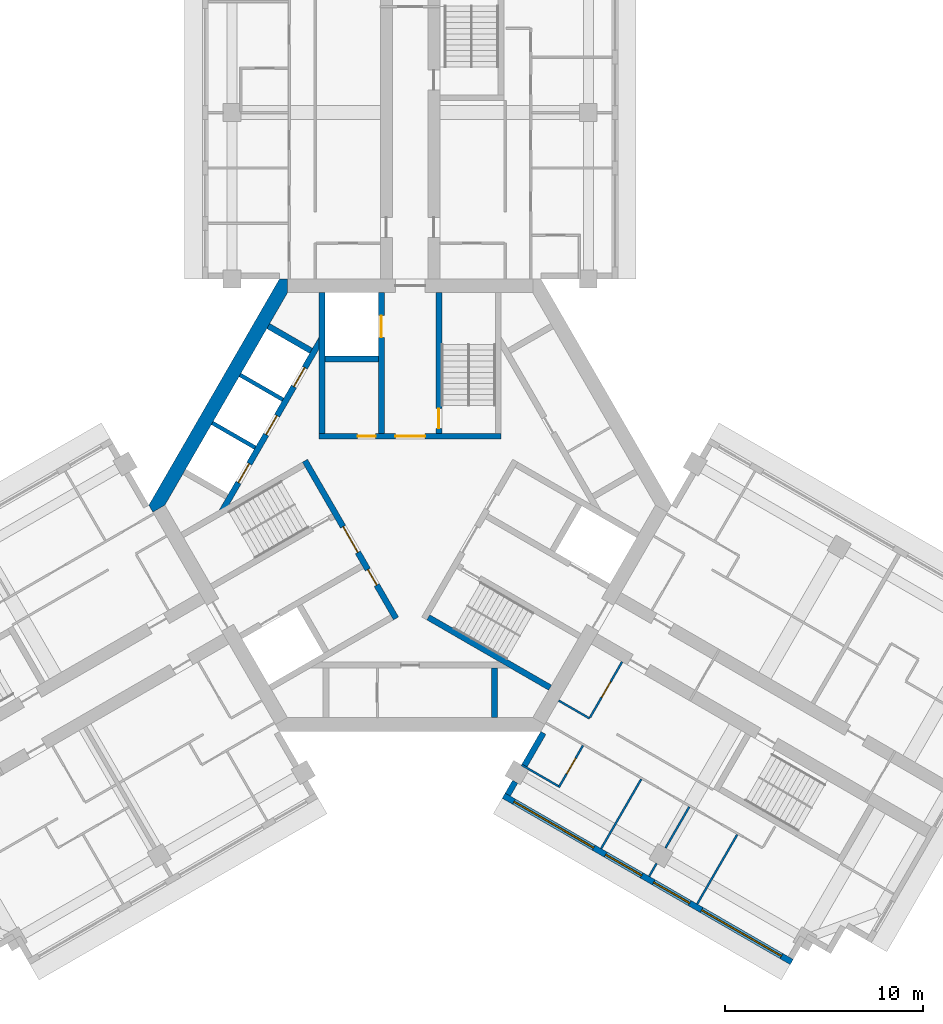
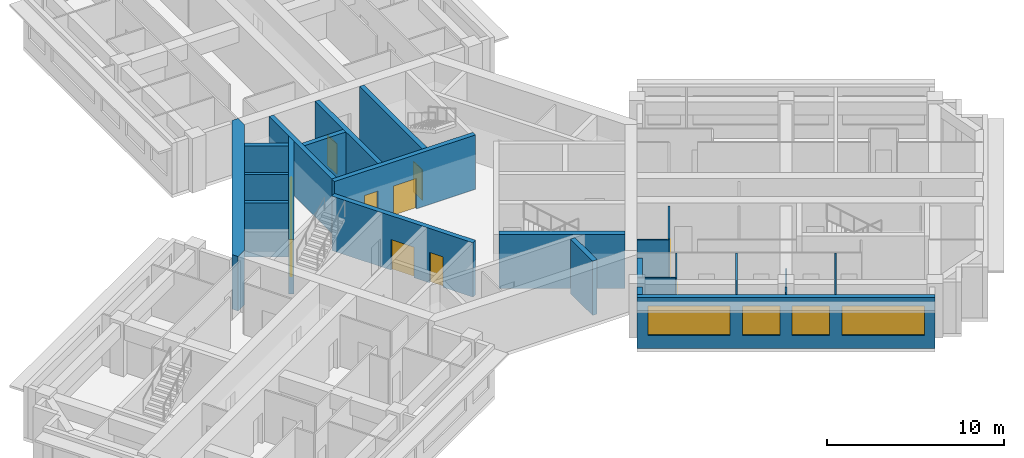
# One storey, part 4 of 10: 24 walls, 11 doors, 4 windows, 15 openings.
"""IFC4 building model written with IfcOpenShell, lengths in metres."""

from ifc_helpers import new_model, si_unit, direction, frame, frame_2d, origin, place, context, subcontext, project, spatial, polyline, rectangle, outline, extrude, material, layer, layer_set, type_object, element, fill, save


model = new_model("IFC4")

# Units and contexts
model_context = context("Model", 3, precision=1e-05, world=origin(), true_north=direction((0.0, 1.0)))
body_context = subcontext(model_context, "Body", "Model", "MODEL_VIEW")
ifc_project = project(units=[si_unit("LENGTHUNIT", "METRE"), si_unit("AREAUNIT", "SQUARE_METRE"), si_unit("VOLUMEUNIT", "CUBIC_METRE"), si_unit("PLANEANGLEUNIT", "RADIAN"), si_unit("MASSUNIT", "GRAM", prefix="KILO")], contexts=[model_context])

# Site, building, storey
site_placement = place(None, origin())
site = spatial("IfcSite", under=ifc_project, at=site_placement, CompositionType="ELEMENT")
building_placement = place(site_placement, origin())
building = spatial("IfcBuilding", under=site, at=building_placement, Name="Impinga Residences", CompositionType="ELEMENT")
storey_placement = place(building_placement, frame((0.0, 0.0, 256.0)))
storey = spatial("IfcBuildingStorey", under=building, at=storey_placement, Name="L64", CompositionType="ELEMENT", Elevation=256.0)

# Wall, openings, windows
ifc_material_1 = material(Name="Terracotta rainscreen on blockwork", Category="masonry")
ifc_layer_1 = layer(ifc_material_1, 0.300048828125)
ifc_layer_set_1 = layer_set([ifc_layer_1], Name="EW1 external wall, terracotta rainscreen on blockwork 300")
wall_type_1 = type_object("IfcWallType", Name="EW1 external wall, terracotta rainscreen on blockwork 300", PredefinedType="SOLIDWALL", material=ifc_layer_set_1)
wall_1_placement = place(storey_placement, frame((19.274169921875, -23.0791015625, 0.0), z_axis=(0.0, 0.0, 1.0), x_axis=(-0.86602562146, 0.499999622975, 0.0)))
wall_1 = element("IfcWall", 1, at=wall_1_placement, inside=storey, type_object=wall_type_1, Name="External wall EW1 L64", PredefinedType="SOLIDWALL", context=body_context, shape_type="SweptSolid", body=[
    extrude(rectangle(XDim=16.7998046875, YDim=0.300048828125, at=frame_2d((8.39990234375, 0.0))), origin(), (0.0, 0.0, 1.0), 3.530029296875),
])
opening_1_placement = place(wall_1_placement, frame((0.60009765625, 0.0, 0.89990234375)))
opening_1 = element("IfcOpeningElement", 2, at=opening_1_placement, cuts=wall_1, Name="Opening W10", PredefinedType="OPENING", context=body_context, shape_type="SweptSolid", body=[
    extrude(rectangle(XDim=4.64990234375, YDim=2.050048828125, at=frame_2d((2.324951171875, 1.02490234375))), frame((0.0, 0.159912109375, 0.0), z_axis=(0.0, -1.0, 0.0), x_axis=(1.0, 0.0, 0.0)), (0.0, 0.0, 1.0), 0.320068359375),
])
opening_2_placement = place(wall_1_placement, frame((5.949951171875, 0.0, 0.89990234375)))
opening_2 = element("IfcOpeningElement", 3, at=opening_2_placement, cuts=wall_1, Name="Opening W9", PredefinedType="OPENING", context=body_context, shape_type="SweptSolid", body=[
    extrude(rectangle(XDim=2.10009765625, YDim=2.050048828125, at=frame_2d((1.050048828125, 1.02490234375))), frame((0.0, 0.159912109375, 0.0), z_axis=(0.0, -1.0, 0.0), x_axis=(1.0, 0.0, 0.0)), (0.0, 0.0, 1.0), 0.320068359375),
])
opening_3_placement = place(wall_1_placement, frame((8.75, 0.0, 0.89990234375)))
opening_3 = element("IfcOpeningElement", 4, at=opening_3_placement, cuts=wall_1, Name="Opening W9", PredefinedType="OPENING", context=body_context, shape_type="SweptSolid", body=[
    extrude(rectangle(XDim=2.10009765625, YDim=2.050048828125, at=frame_2d((1.050048828125, 1.02490234375))), frame((0.0, 0.159912109375, 0.0), z_axis=(0.0, -1.0, 0.0), x_axis=(1.0, 0.0, 0.0)), (0.0, 0.0, 1.0), 0.320068359375),
])
opening_4_placement = place(wall_1_placement, frame((11.550048828125, 0.0, 0.89990234375)))
opening_4 = element("IfcOpeningElement", 5, at=opening_4_placement, cuts=wall_1, Name="Opening W10", PredefinedType="OPENING", context=body_context, shape_type="SweptSolid", body=[
    extrude(rectangle(XDim=4.64990234375, YDim=2.050048828125, at=frame_2d((2.324951171875, 1.02490234375))), frame((0.0, 0.159912109375, 0.0), z_axis=(0.0, -1.0, 0.0), x_axis=(1.0, 0.0, 0.0)), (0.0, 0.0, 1.0), 0.320068359375),
])
ifc_material_2 = material(Name="Aluminium window, clear double glazing", Category="aluminium")
window_type_1 = type_object("IfcWindowType", Name="W10 ribbon window 4650x2050", PartitioningType="SINGLE_PANEL", PredefinedType="WINDOW", material=ifc_material_2)
window_1_placement = place(opening_1_placement, origin())
window_1 = element("IfcWindow", 6, at=window_1_placement, inside=storey, type_object=window_type_1, Name="Window L64", OverallHeight=2.050048828125, OverallWidth=4.64990234375, PartitioningType="SINGLE_PANEL", PredefinedType="WINDOW", context=body_context, shape_type="SweptSolid", body=[
    extrude(rectangle(XDim=4.64990234375, YDim=2.050048828125, at=frame_2d((2.324951171875, 1.02490234375))), frame((0.0, 0.030029296875, 0.0), z_axis=(0.0, -1.0, 0.0), x_axis=(1.0, 0.0, 0.0)), (0.0, 0.0, 1.0), 0.06005859375),
])
fill(opening_1, window_1)
window_2_placement = place(opening_4_placement, origin())
window_2 = element("IfcWindow", 7, at=window_2_placement, inside=storey, type_object=window_type_1, Name="Window L64", OverallHeight=2.050048828125, OverallWidth=4.64990234375, PartitioningType="SINGLE_PANEL", PredefinedType="WINDOW", context=body_context, shape_type="SweptSolid", body=[
    extrude(rectangle(XDim=4.64990234375, YDim=2.050048828125, at=frame_2d((2.324951171875, 1.02490234375))), frame((0.0, 0.030029296875, 0.0), z_axis=(0.0, -1.0, 0.0), x_axis=(1.0, 0.0, 0.0)), (0.0, 0.0, 1.0), 0.06005859375),
])
fill(opening_4, window_2)
window_type_2 = type_object("IfcWindowType", Name="W9 ribbon window 2100x2050", PartitioningType="SINGLE_PANEL", PredefinedType="WINDOW", material=ifc_material_2)
window_3_placement = place(opening_2_placement, origin())
window_3 = element("IfcWindow", 8, at=window_3_placement, inside=storey, type_object=window_type_2, Name="Window L64", OverallHeight=2.050048828125, OverallWidth=2.10009765625, PartitioningType="SINGLE_PANEL", PredefinedType="WINDOW", context=body_context, shape_type="SweptSolid", body=[
    extrude(rectangle(XDim=2.10009765625, YDim=2.050048828125, at=frame_2d((1.050048828125, 1.02490234375))), frame((0.0, 0.030029296875, 0.0), z_axis=(0.0, -1.0, 0.0), x_axis=(1.0, 0.0, 0.0)), (0.0, 0.0, 1.0), 0.06005859375),
])
fill(opening_2, window_3)
window_4_placement = place(opening_3_placement, origin())
window_4 = element("IfcWindow", 9, at=window_4_placement, inside=storey, type_object=window_type_2, Name="Window L64", OverallHeight=2.050048828125, OverallWidth=2.10009765625, PartitioningType="SINGLE_PANEL", PredefinedType="WINDOW", context=body_context, shape_type="SweptSolid", body=[
    extrude(rectangle(XDim=2.10009765625, YDim=2.050048828125, at=frame_2d((1.050048828125, 1.02490234375))), frame((0.0, 0.030029296875, 0.0), z_axis=(0.0, -1.0, 0.0), x_axis=(1.0, 0.0, 0.0)), (0.0, 0.0, 1.0), 0.06005859375),
])
fill(opening_3, window_4)

# Walls
wall_2_placement = place(storey_placement, frame((4.929931640625, -14.624267578125, 0.0), z_axis=(0.0, 0.0, 1.0), x_axis=(0.499919672301, 0.866071776036, 0.0)))
element("IfcWall", 10, at=wall_2_placement, inside=storey, type_object=wall_type_1, Name="External wall EW1 L64", PredefinedType="SOLIDWALL", context=body_context, shape_type="SweptSolid", body=[
    extrude(rectangle(XDim=0.75, YDim=0.300048828125, at=frame_2d((0.375, 0.0))), origin(), (0.0, 0.0, 1.0), 3.530029296875),
])
wall_3_placement = place(storey_placement, frame((5.7548828125, -13.1953125, 0.0), z_axis=(0.0, 0.0, 1.0), x_axis=(0.500043961785, 0.866000020948, 0.0)))
element("IfcWall", 11, at=wall_3_placement, inside=storey, type_object=wall_type_1, Name="External wall EW1 L64", PredefinedType="SOLIDWALL", context=body_context, shape_type="SweptSolid", body=[
    extrude(rectangle(XDim=1.949951171875, YDim=0.300048828125, at=frame_2d((0.97509765625, 0.0))), origin(), (0.0, 0.0, 1.0), 3.530029296875),
])
ifc_material_3 = material(Name="Gypsum board on steel studs", Category="steel")
ifc_layer_2 = layer(ifc_material_3, 0.10009765625)
ifc_layer_set_2 = layer_set([ifc_layer_2], Name="Gypsum board on steel studs")
wall_type_2 = type_object("IfcWallType", Name="IP1 partition 100", PredefinedType="PARTITIONING", material=ifc_layer_set_2)
wall_4_placement = place(storey_placement, frame((7.5, -9.872802734375, 0.0), z_axis=(0.0, 0.0, 1.0), x_axis=(0.866047807691, -0.499961193289, 0.0)))
element("IfcWall", 12, at=wall_4_placement, inside=storey, type_object=wall_type_2, Name="Partition L64-EF1:DIV0", PredefinedType="PARTITIONING", context=body_context, shape_type="SweptSolid", body=[
    extrude(rectangle(XDim=1.800048828125, YDim=0.10009765625, at=frame_2d((0.89990234375, 0.0))), origin(), (0.0, 0.0, 1.0), 3.530029296875),
])

# Wall, opening, door
wall_5_placement = place(storey_placement, frame((10.708740234375, -7.914794921875, 0.0), z_axis=(0.0, 0.0, 1.0), x_axis=(-0.499984717929, -0.866034226713, 0.0)))
wall_5 = element("IfcWall", 13, at=wall_5_placement, inside=storey, type_object=wall_type_2, Name="Partition L64-EF1:IB1", PredefinedType="PARTITIONING", context=body_context, shape_type="SweptSolid", body=[
    extrude(rectangle(XDim=3.25, YDim=0.10009765625, at=frame_2d((1.625, 0.0))), origin(), (0.0, 0.0, 1.0), 3.530029296875),
])
opening_5_placement = place(wall_5_placement, frame((1.175048828125, 0.0, 0.0)))
opening_5 = element("IfcOpeningElement", 14, at=opening_5_placement, cuts=wall_5, Name="Opening D2", PredefinedType="OPENING", context=body_context, shape_type="SweptSolid", body=[
    extrude(rectangle(XDim=0.89990234375, YDim=2.10009765625, at=frame_2d((0.449951171875, 1.050048828125))), frame((0.0, 0.06005859375, 0.0), z_axis=(0.0, -1.0, 0.0), x_axis=(1.0, 0.0, 0.0)), (0.0, 0.0, 1.0), 0.1201171875),
])
ifc_material_4 = material(Name="Timber door set", Category="wood")
door_type_1 = type_object("IfcDoorType", Name="D2 internal door 900x2100", OperationType="SINGLE_SWING_LEFT", PredefinedType="DOOR", material=ifc_material_4)
door_1_placement = place(opening_5_placement, origin())
door_1 = element("IfcDoor", 15, at=door_1_placement, inside=storey, type_object=door_type_1, Name="Apartment L64-EF1 bathroom door", OperationType="SINGLE_SWING_LEFT", OverallHeight=2.10009765625, OverallWidth=0.89990234375, PredefinedType="DOOR", context=body_context, shape_type="SweptSolid", body=[
    extrude(rectangle(XDim=0.89990234375, YDim=2.10009765625, at=frame_2d((0.449951171875, 1.050048828125))), frame((0.0, 0.02490234375, 0.0), z_axis=(0.0, -1.0, 0.0), x_axis=(1.0, 0.0, 0.0)), (0.0, 0.0, 1.0), 0.050048828125),
])
fill(opening_5, door_1)

# Walls
wall_6_placement = place(storey_placement, frame((11.6748046875, -13.841796875, 0.0), z_axis=(0.0, 0.0, 1.0), x_axis=(-0.500035537042, -0.866004885491, 0.0)))
element("IfcWall", 16, at=wall_6_placement, inside=storey, type_object=wall_type_2, Name="Partition L64-EF1:OB1", PredefinedType="PARTITIONING", context=body_context, shape_type="SweptSolid", body=[
    extrude(rectangle(XDim=4.050048828125, YDim=0.10009765625, at=frame_2d((2.02490234375, 0.0))), origin(), (0.0, 0.0, 1.0), 3.530029296875),
])
wall_7_placement = place(storey_placement, frame((14.099609375, -15.241943359375, 0.0), z_axis=(0.0, 0.0, 1.0), x_axis=(-0.500001309137, -0.866024647952, 0.0)))
element("IfcWall", 17, at=wall_7_placement, inside=storey, type_object=wall_type_2, Name="Partition L64-EF1:OB2", PredefinedType="PARTITIONING", context=body_context, shape_type="SweptSolid", body=[
    extrude(rectangle(XDim=2.39990234375, YDim=0.10009765625, at=frame_2d((1.199951171875, 0.0))), origin(), (0.0, 0.0, 1.0), 2.47998046875),
])
wall_8_placement = place(storey_placement, frame((12.44970703125, -18.099609375, 0.0), z_axis=(0.0, 0.0, 1.0), x_axis=(-0.499919672301, -0.866071776036, 0.0)))
element("IfcWall", 18, at=wall_8_placement, inside=storey, type_object=wall_type_2, Name="Partition L64-EF1:OB2b", PredefinedType="PARTITIONING", context=body_context, shape_type="SweptSolid", body=[
    extrude(rectangle(XDim=0.75, YDim=0.10009765625, at=frame_2d((0.375, 0.0))), origin(), (0.0, 0.0, 1.0), 3.530029296875),
])
wall_9_placement = place(storey_placement, frame((16.5244140625, -16.641845703125, 0.0), z_axis=(0.0, 0.0, 1.0), x_axis=(-0.499990325971, -0.866030989016, 0.0)))
element("IfcWall", 19, at=wall_9_placement, inside=storey, type_object=wall_type_2, Name="Partition L64-EF1:OB3", PredefinedType="PARTITIONING", context=body_context, shape_type="SweptSolid", body=[
    extrude(rectangle(XDim=4.0498046875, YDim=0.10009765625, at=frame_2d((2.02490234375, 0.0))), origin(), (0.0, 0.0, 1.0), 3.530029296875),
])

# Wall, opening, door
wall_10_placement = place(storey_placement, frame((8.730224609375, -12.141845703125, 0.0), z_axis=(0.0, 0.0, 1.0), x_axis=(-0.499943856944, -0.866057815567, 0.0)))
wall_10 = element("IfcWall", 20, at=wall_10_placement, inside=storey, type_object=wall_type_2, Name="Partition L64-EF1:EN1", PredefinedType="PARTITIONING", context=body_context, shape_type="SweptSolid", body=[
    extrude(rectangle(XDim=2.449951171875, YDim=0.10009765625, at=frame_2d((1.22509765625, 0.0))), origin(), (0.0, 0.0, 1.0), 3.530029296875),
])
opening_6_placement = place(wall_10_placement, frame((0.75, 0.0, 0.0)))
opening_6 = element("IfcOpeningElement", 21, at=opening_6_placement, cuts=wall_10, Name="Opening D2", PredefinedType="OPENING", context=body_context, shape_type="SweptSolid", body=[
    extrude(rectangle(XDim=0.89990234375, YDim=2.10009765625, at=frame_2d((0.449951171875, 1.050048828125))), frame((0.0, 0.06005859375, 0.0), z_axis=(0.0, -1.0, 0.0), x_axis=(1.0, 0.0, 0.0)), (0.0, 0.0, 1.0), 0.1201171875),
])
door_2_placement = place(opening_6_placement, origin())
door_2 = element("IfcDoor", 22, at=door_2_placement, inside=storey, type_object=door_type_1, Name="Apartment L64-EF1 en-suite door", OperationType="SINGLE_SWING_LEFT", OverallHeight=2.10009765625, OverallWidth=0.89990234375, PredefinedType="DOOR", context=body_context, shape_type="SweptSolid", body=[
    extrude(rectangle(XDim=0.89990234375, YDim=2.10009765625, at=frame_2d((0.449951171875, 1.050048828125))), frame((0.0, 0.02490234375, 0.0), z_axis=(0.0, -1.0, 0.0), x_axis=(1.0, 0.0, 0.0)), (0.0, 0.0, 1.0), 0.050048828125),
])
fill(opening_6, door_2)

# Walls
wall_11_placement = place(storey_placement, frame((5.625, -13.120361328125, 0.0), z_axis=(0.0, 0.0, 1.0), x_axis=(0.866047553582, -0.499961633463, 0.0)))
element("IfcWall", 23, at=wall_11_placement, inside=storey, type_object=wall_type_2, Name="Partition L64-EF1:EN2", PredefinedType="PARTITIONING", context=body_context, shape_type="SweptSolid", body=[
    extrude(rectangle(XDim=2.150146484375, YDim=0.10009765625, at=frame_2d((1.0751953125, 0.0))), origin(), (0.0, 0.0, 1.0), 3.530029296875),
])
ifc_material_5 = material(Name="Concrete C60/75", Category="concrete")
ifc_layer_3 = layer(ifc_material_5, 0.699951171875)
ifc_layer_set_3 = layer_set([ifc_layer_3], Name="Concrete C60/75")
wall_type_3 = type_object("IfcWallType", Name="SW3 core wall 700", PredefinedType="SHEAR", material=ifc_layer_set_3)
wall_12_placement = place(storey_placement, origin())
element("IfcWall", 24, at=wall_12_placement, inside=storey, type_object=wall_type_3, Name="Core wall SW3 E:EXPOSED L64", PredefinedType="SHEAR", context=body_context, shape_type="SweptSolid", body=[
    extrude(outline(polyline([(-6.60009765625, 11.431640625), (-13.199951171875, 0.0), (-12.998046875, -0.35009765625), (-12.3916015625, 0.0), (-6.19580078125, 10.7314453125), (-6.19580078125, 11.431640625), (-6.60009765625, 11.431640625)])), origin(), (0.0, 0.0, 1.0), 3.75),
])

# Wall, openings, doors
ifc_material_6 = material(Name="Concrete C70/85", Category="concrete")
ifc_layer_4 = layer(ifc_material_6, 0.300048828125)
ifc_layer_set_4 = layer_set([ifc_layer_4], Name="Concrete C70/85")
wall_type_4 = type_object("IfcWallType", Name="SW5 core inner wall, stairs, shafts and lobbies 300", PredefinedType="SHEAR", material=ifc_layer_set_4)
wall_13_placement = place(storey_placement, frame((-4.60009765625, 3.47998046875, 0.0), z_axis=(0.0, 0.0, 1.0), x_axis=(1.0, 0.0, 0.0)))
wall_13 = element("IfcWall", 25, at=wall_13_placement, inside=storey, type_object=wall_type_4, Name="Core wall SW5 N:ZONE L64", PredefinedType="SHEAR", context=body_context, shape_type="SweptSolid", body=[
    extrude(rectangle(XDim=9.2001953125, YDim=0.300048828125, at=frame_2d((4.60009765625, 0.0))), origin(), (0.0, 0.0, 1.0), 3.75),
])
opening_7_placement = place(wall_13_placement, frame((3.85009765625, 0.0, 0.0)))
opening_7 = element("IfcOpeningElement", 26, at=opening_7_placement, cuts=wall_13, Name="Opening D4", PredefinedType="OPENING", context=body_context, shape_type="SweptSolid", body=[
    extrude(rectangle(XDim=1.5, YDim=2.10009765625, at=frame_2d((0.75, 1.050048828125))), frame((0.0, 0.159912109375, 0.0), z_axis=(0.0, -1.0, 0.0), x_axis=(1.0, 0.0, 0.0)), (0.0, 0.0, 1.0), 0.320068359375),
])
opening_8_placement = place(wall_13_placement, frame((1.949951171875, 0.0, 0.0)))
opening_8 = element("IfcOpeningElement", 27, at=opening_8_placement, cuts=wall_13, Name="Opening D6", PredefinedType="OPENING", context=body_context, shape_type="SweptSolid", body=[
    extrude(rectangle(XDim=0.89990234375, YDim=2.10009765625, at=frame_2d((0.449951171875, 1.050048828125))), frame((0.0, 0.159912109375, 0.0), z_axis=(0.0, -1.0, 0.0), x_axis=(1.0, 0.0, 0.0)), (0.0, 0.0, 1.0), 0.320068359375),
])
door_type_2 = type_object("IfcDoorType", Name="D4 lobby door pair 1500x2100", OperationType="DOUBLE_DOOR_DOUBLE_SWING", PredefinedType="DOOR", material=ifc_material_4)
door_3_placement = place(opening_7_placement, origin())
door_3 = element("IfcDoor", 28, at=door_3_placement, inside=storey, type_object=door_type_2, Name="Firefighting lobby door N", OperationType="DOUBLE_DOOR_DOUBLE_SWING", OverallHeight=2.10009765625, OverallWidth=1.5, PredefinedType="DOOR", context=body_context, shape_type="SweptSolid", body=[
    extrude(rectangle(XDim=1.5, YDim=2.10009765625, at=frame_2d((0.75, 1.050048828125))), frame((0.0, 0.02490234375, 0.0), z_axis=(0.0, -1.0, 0.0), x_axis=(1.0, 0.0, 0.0)), (0.0, 0.0, 1.0), 0.050048828125),
])
fill(opening_7, door_3)
door_type_3 = type_object("IfcDoorType", Name="D6 riser and store door 900x2100", OperationType="SINGLE_SWING_LEFT", PredefinedType="DOOR", material=ifc_material_4)
door_4_placement = place(opening_8_placement, origin())
door_4 = element("IfcDoor", 29, at=door_4_placement, inside=storey, type_object=door_type_3, Name="Riser door N", OperationType="SINGLE_SWING_LEFT", OverallHeight=2.10009765625, OverallWidth=0.89990234375, PredefinedType="DOOR", context=body_context, shape_type="SweptSolid", body=[
    extrude(rectangle(XDim=0.89990234375, YDim=2.10009765625, at=frame_2d((0.449951171875, 1.050048828125))), frame((0.0, 0.02490234375, 0.0), z_axis=(0.0, -1.0, 0.0), x_axis=(1.0, 0.0, 0.0)), (0.0, 0.0, 1.0), 0.050048828125),
])
fill(opening_8, door_4)

# Wall, opening, door
wall_14_placement = place(storey_placement, frame((1.449951171875, 3.6298828125, 0.0), z_axis=(0.0, 0.0, 1.0), x_axis=(0.0, 1.0, 0.0)))
wall_14 = element("IfcWall", 30, at=wall_14_placement, inside=storey, type_object=wall_type_4, Name="Core wall SW5 N:ST-IN L64", PredefinedType="SHEAR", context=body_context, shape_type="SweptSolid", body=[
    extrude(rectangle(XDim=7.1015625, YDim=0.300048828125, at=frame_2d((3.55078125, 0.0))), origin(), (0.0, 0.0, 1.0), 3.75),
])
opening_9_placement = place(wall_14_placement, frame((0.25, 0.0, 0.0)))
opening_9 = element("IfcOpeningElement", 31, at=opening_9_placement, cuts=wall_14, Name="Opening D5", PredefinedType="OPENING", context=body_context, shape_type="SweptSolid", body=[
    extrude(rectangle(XDim=1.0, YDim=2.10009765625, at=frame_2d((0.5, 1.050048828125))), frame((0.0, 0.159912109375, 0.0), z_axis=(0.0, -1.0, 0.0), x_axis=(1.0, 0.0, 0.0)), (0.0, 0.0, 1.0), 0.320068359375),
])
door_type_4 = type_object("IfcDoorType", Name="D5 stair door 1000x2100", OperationType="SINGLE_SWING_LEFT", PredefinedType="DOOR", material=ifc_material_4)
door_5_placement = place(opening_9_placement, origin())
door_5 = element("IfcDoor", 32, at=door_5_placement, inside=storey, type_object=door_type_4, Name="Stair door N", OperationType="SINGLE_SWING_LEFT", OverallHeight=2.10009765625, OverallWidth=1.0, PredefinedType="DOOR", context=body_context, shape_type="SweptSolid", body=[
    extrude(rectangle(XDim=1.0, YDim=2.10009765625, at=frame_2d((0.5, 1.050048828125))), frame((0.0, 0.02490234375, 0.0), z_axis=(0.0, -1.0, 0.0), x_axis=(1.0, 0.0, 0.0)), (0.0, 0.0, 1.0), 0.050048828125),
])
fill(opening_9, door_5)

wall_15_placement = place(storey_placement, frame((-1.449951171875, 3.6298828125, 0.0), z_axis=(0.0, 0.0, 1.0), x_axis=(0.0, 1.0, 0.0)))
wall_15 = element("IfcWall", 33, at=wall_15_placement, inside=storey, type_object=wall_type_4, Name="Core wall SW5 N:FF-IN L64", PredefinedType="SHEAR", context=body_context, shape_type="SweptSolid", body=[
    extrude(rectangle(XDim=7.1015625, YDim=0.300048828125, at=frame_2d((3.55078125, 0.0))), origin(), (0.0, 0.0, 1.0), 3.75),
])
opening_10_placement = place(wall_15_placement, frame((4.85009765625, 0.0, 0.0)))
opening_10 = element("IfcOpeningElement", 34, at=opening_10_placement, cuts=wall_15, Name="Opening LD2", PredefinedType="OPENING", context=body_context, shape_type="SweptSolid", body=[
    extrude(rectangle(XDim=1.10009765625, YDim=2.10009765625, at=frame_2d((0.550048828125, 1.050048828125))), frame((0.0, 0.159912109375, 0.0), z_axis=(0.0, -1.0, 0.0), x_axis=(1.0, 0.0, 0.0)), (0.0, 0.0, 1.0), 0.320068359375),
])
ifc_material_7 = material(Name="Steel lift landing door", Category="steel")
door_type_5 = type_object("IfcDoorType", Name="LD2 firefighting lift landing door 1100x2100", OperationType="DOUBLE_DOOR_SLIDING", PredefinedType="DOOR", material=ifc_material_7)
door_6_placement = place(opening_10_placement, origin())
door_6 = element("IfcDoor", 35, at=door_6_placement, inside=storey, type_object=door_type_5, Name="Firefighting lift landing door F1", OperationType="DOUBLE_DOOR_SLIDING", OverallHeight=2.10009765625, OverallWidth=1.10009765625, PredefinedType="DOOR", context=body_context, shape_type="SweptSolid", body=[
    extrude(rectangle(XDim=1.10009765625, YDim=2.10009765625, at=frame_2d((0.550048828125, 1.050048828125))), frame((0.0, 0.02490234375, 0.0), z_axis=(0.0, -1.0, 0.0), x_axis=(1.0, 0.0, 0.0)), (0.0, 0.0, 1.0), 0.050048828125),
])
fill(opening_10, door_6)

# Walls
wall_16_placement = place(storey_placement, frame((-4.449951171875, 3.6298828125, 0.0), z_axis=(0.0, 0.0, 1.0), x_axis=(0.0, 1.0, 0.0)))
element("IfcWall", 36, at=wall_16_placement, inside=storey, type_object=wall_type_4, Name="Core wall SW5 N:FF-OUT L64", PredefinedType="SHEAR", context=body_context, shape_type="SweptSolid", body=[
    extrude(rectangle(XDim=7.1015625, YDim=0.300048828125, at=frame_2d((3.55078125, 0.0))), origin(), (0.0, 0.0, 1.0), 3.75),
])
wall_17_placement = place(storey_placement, frame((-4.300048828125, 7.3798828125, 0.0), z_axis=(0.0, 0.0, 1.0), x_axis=(1.0, 0.0, 0.0)))
element("IfcWall", 37, at=wall_17_placement, inside=storey, type_object=wall_type_4, Name="Core wall SW5 N:FF-RS L64", PredefinedType="SHEAR", context=body_context, shape_type="SweptSolid", body=[
    extrude(rectangle(XDim=2.699951171875, YDim=0.300048828125, at=frame_2d((1.35009765625, 0.0))), origin(), (0.0, 0.0, 1.0), 3.75),
])

# Wall, openings, doors
wall_18_placement = place(storey_placement, frame((-0.7138671875, -5.7236328125, 0.0), z_axis=(0.0, 0.0, 1.0), x_axis=(-0.499995050369, 0.866028261437, 0.0)))
wall_18 = element("IfcWall", 38, at=wall_18_placement, inside=storey, type_object=wall_type_4, Name="Core wall SW5 W:ZONE L64", PredefinedType="SHEAR", context=body_context, shape_type="SweptSolid", body=[
    extrude(rectangle(XDim=9.19970703125, YDim=0.300048828125, at=frame_2d((4.599853515625, 0.0))), origin(), (0.0, 0.0, 1.0), 3.75),
])
opening_11_placement = place(wall_18_placement, frame((3.85009765625, 0.0, 0.0)))
opening_11 = element("IfcOpeningElement", 39, at=opening_11_placement, cuts=wall_18, Name="Opening D4", PredefinedType="OPENING", context=body_context, shape_type="SweptSolid", body=[
    extrude(rectangle(XDim=1.5, YDim=2.10009765625, at=frame_2d((0.75, 1.050048828125))), frame((0.0, 0.159912109375, 0.0), z_axis=(0.0, -1.0, 0.0), x_axis=(1.0, 0.0, 0.0)), (0.0, 0.0, 1.0), 0.320068359375),
])
opening_12_placement = place(wall_18_placement, frame((1.949951171875, 0.0, 0.0)))
opening_12 = element("IfcOpeningElement", 40, at=opening_12_placement, cuts=wall_18, Name="Opening D6", PredefinedType="OPENING", context=body_context, shape_type="SweptSolid", body=[
    extrude(rectangle(XDim=0.89990234375, YDim=2.10009765625, at=frame_2d((0.449951171875, 1.050048828125))), frame((0.0, 0.159912109375, 0.0), z_axis=(0.0, -1.0, 0.0), x_axis=(1.0, 0.0, 0.0)), (0.0, 0.0, 1.0), 0.320068359375),
])
door_7_placement = place(opening_11_placement, origin())
door_7 = element("IfcDoor", 41, at=door_7_placement, inside=storey, type_object=door_type_2, Name="Firefighting lobby door W", OperationType="DOUBLE_DOOR_DOUBLE_SWING", OverallHeight=2.10009765625, OverallWidth=1.5, PredefinedType="DOOR", context=body_context, shape_type="SweptSolid", body=[
    extrude(rectangle(XDim=1.5, YDim=2.10009765625, at=frame_2d((0.75, 1.050048828125))), frame((0.0, 0.02490234375, 0.0), z_axis=(0.0, -1.0, 0.0), x_axis=(1.0, 0.0, 0.0)), (0.0, 0.0, 1.0), 0.050048828125),
])
fill(opening_11, door_7)
door_8_placement = place(opening_12_placement, origin())
door_8 = element("IfcDoor", 42, at=door_8_placement, inside=storey, type_object=door_type_3, Name="Riser door W", OperationType="SINGLE_SWING_LEFT", OverallHeight=2.10009765625, OverallWidth=0.89990234375, PredefinedType="DOOR", context=body_context, shape_type="SweptSolid", body=[
    extrude(rectangle(XDim=0.89990234375, YDim=2.10009765625, at=frame_2d((0.449951171875, 1.050048828125))), frame((0.0, 0.02490234375, 0.0), z_axis=(0.0, -1.0, 0.0), x_axis=(1.0, 0.0, 0.0)), (0.0, 0.0, 1.0), 0.050048828125),
])
fill(opening_12, door_8)

# Walls
wall_19_placement = place(storey_placement, frame((0.918701171875, -5.668701171875, 0.0), z_axis=(0.0, 0.0, 1.0), x_axis=(0.866025859768, -0.499999210213, 0.0)))
element("IfcWall", 43, at=wall_19_placement, inside=storey, type_object=wall_type_4, Name="Core wall SW5 E:ST-OUT L64", PredefinedType="SHEAR", context=body_context, shape_type="SweptSolid", body=[
    extrude(rectangle(XDim=7.1015625, YDim=0.300048828125, at=frame_2d((3.55078125, 0.0))), origin(), (0.0, 0.0, 1.0), 3.75),
])
wall_20_placement = place(storey_placement, frame((4.25, -8.2314453125, 0.0), z_axis=(0.0, 0.0, 1.0), x_axis=(0.0, -1.0, 0.0)))
element("IfcWall", 44, at=wall_20_placement, inside=storey, type_object=wall_type_4, Name="Core wall SW5 N:BANK-L L64", PredefinedType="SHEAR", context=body_context, shape_type="SweptSolid", body=[
    extrude(rectangle(XDim=2.5, YDim=0.300048828125, at=frame_2d((1.25, 0.0))), origin(), (0.0, 0.0, 1.0), 3.75),
])

# Wall, openings, doors
wall_21_placement = place(storey_placement, frame((-9.547607421875, -0.3740234375, 0.0), z_axis=(0.0, 0.0, 1.0), x_axis=(0.500002290144, 0.866024081565, 0.0)))
wall_21 = element("IfcWall", 45, at=wall_21_placement, inside=storey, type_object=wall_type_4, Name="Core wall SW5 E:BANK-FRONT L64", PredefinedType="SHEAR", context=body_context, shape_type="SweptSolid", body=[
    extrude(rectangle(XDim=10.1953125, YDim=0.300048828125, at=frame_2d((5.09765625, 0.0))), origin(), (0.0, 0.0, 1.0), 3.75),
])
opening_13_placement = place(wall_21_placement, frame((1.74755859375, 0.0, 0.0)))
opening_13 = element("IfcOpeningElement", 46, at=opening_13_placement, cuts=wall_21, Name="Opening LD1", PredefinedType="OPENING", context=body_context, shape_type="SweptSolid", body=[
    extrude(rectangle(XDim=1.10009765625, YDim=2.10009765625, at=frame_2d((0.550048828125, 1.050048828125))), frame((0.0, 0.159912109375, 0.0), z_axis=(0.0, -1.0, 0.0), x_axis=(1.0, 0.0, 0.0)), (0.0, 0.0, 1.0), 0.320068359375),
])
opening_14_placement = place(wall_21_placement, frame((4.547607421875, 0.0, 0.0)))
opening_14 = element("IfcOpeningElement", 47, at=opening_14_placement, cuts=wall_21, Name="Opening LD1", PredefinedType="OPENING", context=body_context, shape_type="SweptSolid", body=[
    extrude(rectangle(XDim=1.10009765625, YDim=2.10009765625, at=frame_2d((0.550048828125, 1.050048828125))), frame((0.0, 0.159912109375, 0.0), z_axis=(0.0, -1.0, 0.0), x_axis=(1.0, 0.0, 0.0)), (0.0, 0.0, 1.0), 0.320068359375),
])
opening_15_placement = place(wall_21_placement, frame((7.34765625, 0.0, 0.0)))
opening_15 = element("IfcOpeningElement", 48, at=opening_15_placement, cuts=wall_21, Name="Opening LD1", PredefinedType="OPENING", context=body_context, shape_type="SweptSolid", body=[
    extrude(rectangle(XDim=1.10009765625, YDim=2.10009765625, at=frame_2d((0.550048828125, 1.050048828125))), frame((0.0, 0.159912109375, 0.0), z_axis=(0.0, -1.0, 0.0), x_axis=(1.0, 0.0, 0.0)), (0.0, 0.0, 1.0), 0.320068359375),
])
door_type_6 = type_object("IfcDoorType", Name="LD1 passenger lift landing door 1100x2100", OperationType="DOUBLE_DOOR_SLIDING", PredefinedType="DOOR", material=ifc_material_7)
door_9_placement = place(opening_13_placement, origin())
door_9 = element("IfcDoor", 49, at=door_9_placement, inside=storey, type_object=door_type_6, Name="Lift landing door P7", OperationType="DOUBLE_DOOR_SLIDING", OverallHeight=2.10009765625, OverallWidth=1.10009765625, PredefinedType="DOOR", context=body_context, shape_type="SweptSolid", body=[
    extrude(rectangle(XDim=1.10009765625, YDim=2.10009765625, at=frame_2d((0.550048828125, 1.050048828125))), frame((0.0, 0.02490234375, 0.0), z_axis=(0.0, -1.0, 0.0), x_axis=(1.0, 0.0, 0.0)), (0.0, 0.0, 1.0), 0.050048828125),
])
fill(opening_13, door_9)
door_10_placement = place(opening_14_placement, origin())
door_10 = element("IfcDoor", 50, at=door_10_placement, inside=storey, type_object=door_type_6, Name="Lift landing door P8", OperationType="DOUBLE_DOOR_SLIDING", OverallHeight=2.10009765625, OverallWidth=1.10009765625, PredefinedType="DOOR", context=body_context, shape_type="SweptSolid", body=[
    extrude(rectangle(XDim=1.10009765625, YDim=2.10009765625, at=frame_2d((0.550048828125, 1.050048828125))), frame((0.0, 0.02490234375, 0.0), z_axis=(0.0, -1.0, 0.0), x_axis=(1.0, 0.0, 0.0)), (0.0, 0.0, 1.0), 0.050048828125),
])
fill(opening_14, door_10)
door_11_placement = place(opening_15_placement, origin())
door_11 = element("IfcDoor", 51, at=door_11_placement, inside=storey, type_object=door_type_6, Name="Lift landing door P9", OperationType="DOUBLE_DOOR_SLIDING", OverallHeight=2.10009765625, OverallWidth=1.10009765625, PredefinedType="DOOR", context=body_context, shape_type="SweptSolid", body=[
    extrude(rectangle(XDim=1.10009765625, YDim=2.10009765625, at=frame_2d((0.550048828125, 1.050048828125))), frame((0.0, 0.02490234375, 0.0), z_axis=(0.0, -1.0, 0.0), x_axis=(1.0, 0.0, 0.0)), (0.0, 0.0, 1.0), 0.050048828125),
])
fill(opening_15, door_11)

# Walls
wall_22_placement = place(storey_placement, frame((-5.003662109375, 7.79638671875, 0.0), z_axis=(0.0, 0.0, 1.0), x_axis=(-0.866022959057, 0.500004234368, 0.0)))
element("IfcWall", 52, at=wall_22_placement, inside=storey, type_object=wall_type_4, Name="Core wall SW5 E:BANK-R L64", PredefinedType="SHEAR", context=body_context, shape_type="SweptSolid", body=[
    extrude(rectangle(XDim=2.5, YDim=0.300048828125, at=frame_2d((1.25, 0.0))), origin(), (0.0, 0.0, 1.0), 3.75),
])
ifc_layer_5 = layer(ifc_material_6, 0.199951171875)
ifc_layer_set_5 = layer_set([ifc_layer_5], Name="Concrete C70/85")
wall_type_5 = type_object("IfcWallType", Name="SW6 lift shaft divider wall 200", PredefinedType="SHEAR", material=ifc_layer_set_5)
wall_23_placement = place(storey_placement, frame((-7.82861328125, 2.9033203125, 0.0), z_axis=(0.0, 0.0, 1.0), x_axis=(-0.866047370643, 0.499961950354, 0.0)))
element("IfcWall", 53, at=wall_23_placement, inside=storey, type_object=wall_type_5, Name="Core wall SW6 E:BANK-D1 L64", PredefinedType="SHEAR", context=body_context, shape_type="SweptSolid", body=[
    extrude(rectangle(XDim=2.500244140625, YDim=0.199951171875, at=frame_2d((1.25, 0.0))), origin(), (0.0, 0.0, 1.0), 3.75),
])
wall_24_placement = place(storey_placement, frame((-6.4287109375, 5.328125, 0.0), z_axis=(0.0, 0.0, 1.0), x_axis=(-0.866022959057, 0.500004234368, 0.0)))
element("IfcWall", 54, at=wall_24_placement, inside=storey, type_object=wall_type_5, Name="Core wall SW6 E:BANK-D2 L64", PredefinedType="SHEAR", context=body_context, shape_type="SweptSolid", body=[
    extrude(rectangle(XDim=2.5, YDim=0.199951171875, at=frame_2d((1.25, 0.0))), origin(), (0.0, 0.0, 1.0), 3.75),
])

save(model, "model.ifc")
